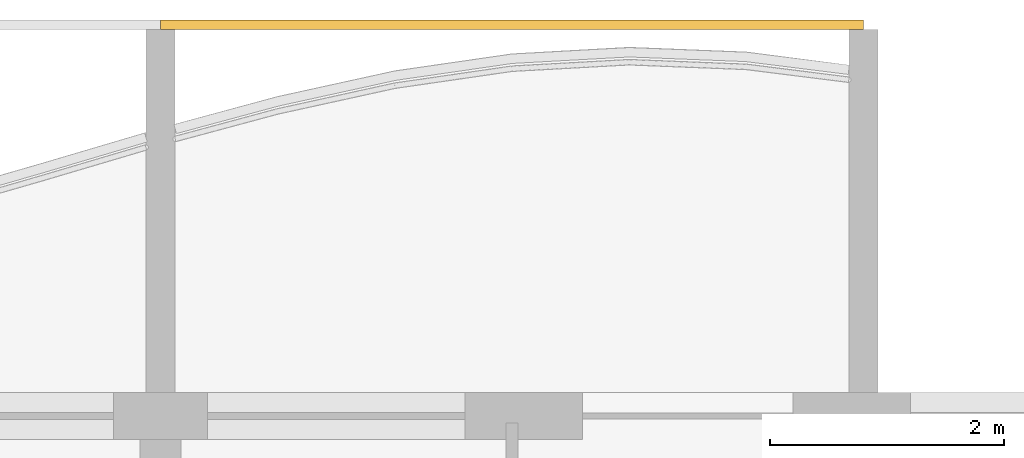
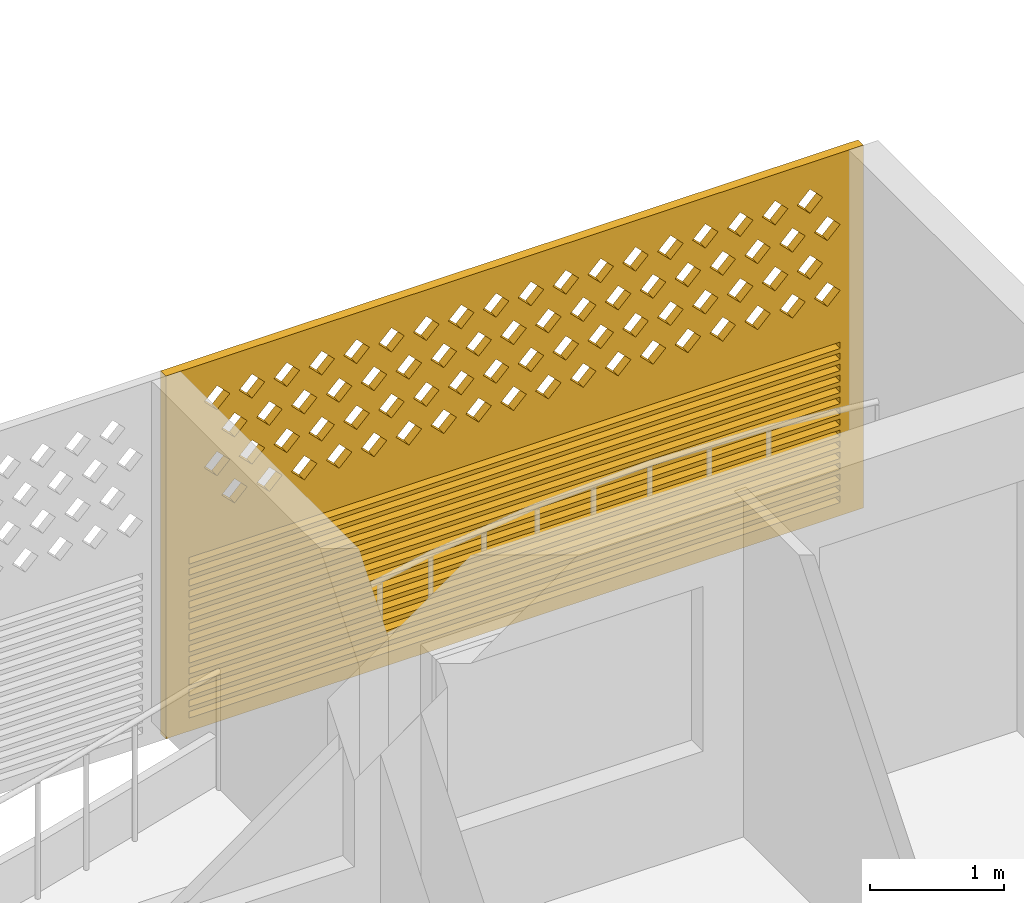
# One storey, part 20 of 24: 1 covering.
"""IFC4 building model written with IfcOpenShell, lengths in metres."""

from ifc_helpers import new_model, si_unit, direction, frame, origin, place, context, subcontext, project, spatial, polyline, outline, extrude, source, transform, mapped, material, material_profile, profile_set, type_object, element, save


model = new_model("IFC4")

# Units and contexts
model_context = context("Model", 3, precision=1e-05, world=origin(), true_north=direction((0.0, 1.0)))
body_context = subcontext(model_context, "Body", "Model", "MODEL_VIEW")
ifc_project = project(units=[si_unit("LENGTHUNIT", "METRE"), si_unit("AREAUNIT", "SQUARE_METRE"), si_unit("VOLUMEUNIT", "CUBIC_METRE"), si_unit("PLANEANGLEUNIT", "RADIAN"), si_unit("MASSUNIT", "GRAM", prefix="KILO")], contexts=[model_context])

# Site, building, storey
site_placement = place(None, origin())
site = spatial("IfcSite", under=ifc_project, at=site_placement, CompositionType="ELEMENT")
building_placement = place(site_placement, origin())
building = spatial("IfcBuilding", under=site, at=building_placement, Name="Poui Terraces", CompositionType="ELEMENT")
storey_placement = place(building_placement, frame((0.0, 0.0, 109.199951171875)))
storey = spatial("IfcBuildingStorey", under=building, at=storey_placement, Name="L30", CompositionType="ELEMENT", Elevation=109.199951171875)

# Covering
ifc_material = material(Name="Terracotta screen", Category="masonry")
ifc_material_profile = material_profile(ifc_material, outline(polyline([(-3.0, -1.64990234375), (3.0, -1.64990234375), (3.0, 1.64990234375), (-3.0, 1.64990234375), (-3.0, -1.64990234375)]), holes=[polyline([(-2.800048828125, 0.39990234375), (-2.68994140625, 0.2900390625), (-2.580078125, 0.39990234375), (-2.68994140625, 0.510009765625), (-2.800048828125, 0.39990234375)]), polyline([(-2.5, 0.39990234375), (-2.389892578125, 0.2900390625), (-2.280029296875, 0.39990234375), (-2.389892578125, 0.510009765625), (-2.5, 0.39990234375)]), polyline([(-2.199951171875, 0.39990234375), (-2.090087890625, 0.2900390625), (-1.97998046875, 0.39990234375), (-2.090087890625, 0.510009765625), (-2.199951171875, 0.39990234375)]), polyline([(-1.89990234375, 0.39990234375), (-1.7900390625, 0.2900390625), (-1.679931640625, 0.39990234375), (-1.7900390625, 0.510009765625), (-1.89990234375, 0.39990234375)]), polyline([(-1.60009765625, 0.39990234375), (-1.489990234375, 0.2900390625), (-1.3798828125, 0.39990234375), (-1.489990234375, 0.510009765625), (-1.60009765625, 0.39990234375)]), polyline([(-1.300048828125, 0.39990234375), (-1.18994140625, 0.2900390625), (-1.080078125, 0.39990234375), (-1.18994140625, 0.510009765625), (-1.300048828125, 0.39990234375)]), polyline([(-1.0, 0.39990234375), (-0.889892578125, 0.2900390625), (-0.780029296875, 0.39990234375), (-0.889892578125, 0.510009765625), (-1.0, 0.39990234375)]), polyline([(-0.699951171875, 0.39990234375), (-0.590087890625, 0.2900390625), (-0.47998046875, 0.39990234375), (-0.590087890625, 0.510009765625), (-0.699951171875, 0.39990234375)]), polyline([(-0.39990234375, 0.39990234375), (-0.2900390625, 0.2900390625), (-0.179931640625, 0.39990234375), (-0.2900390625, 0.510009765625), (-0.39990234375, 0.39990234375)]), polyline([(-0.10009765625, 0.39990234375), (0.010009765625, 0.2900390625), (0.1201171875, 0.39990234375), (0.010009765625, 0.510009765625), (-0.10009765625, 0.39990234375)]), polyline([(0.199951171875, 0.39990234375), (0.31005859375, 0.2900390625), (0.419921875, 0.39990234375), (0.31005859375, 0.510009765625), (0.199951171875, 0.39990234375)]), polyline([(0.5, 0.39990234375), (0.610107421875, 0.2900390625), (0.719970703125, 0.39990234375), (0.610107421875, 0.510009765625), (0.5, 0.39990234375)]), polyline([(0.800048828125, 0.39990234375), (0.909912109375, 0.2900390625), (1.02001953125, 0.39990234375), (0.909912109375, 0.510009765625), (0.800048828125, 0.39990234375)]), polyline([(1.10009765625, 0.39990234375), (1.2099609375, 0.2900390625), (1.320068359375, 0.39990234375), (1.2099609375, 0.510009765625), (1.10009765625, 0.39990234375)]), polyline([(1.39990234375, 0.39990234375), (1.510009765625, 0.2900390625), (1.6201171875, 0.39990234375), (1.510009765625, 0.510009765625), (1.39990234375, 0.39990234375)]), polyline([(1.699951171875, 0.39990234375), (1.81005859375, 0.2900390625), (1.919921875, 0.39990234375), (1.81005859375, 0.510009765625), (1.699951171875, 0.39990234375)]), polyline([(2.0, 0.39990234375), (2.110107421875, 0.2900390625), (2.219970703125, 0.39990234375), (2.110107421875, 0.510009765625), (2.0, 0.39990234375)]), polyline([(2.300048828125, 0.39990234375), (2.409912109375, 0.2900390625), (2.52001953125, 0.39990234375), (2.409912109375, 0.510009765625), (2.300048828125, 0.39990234375)]), polyline([(-2.64990234375, 0.699951171875), (-2.5400390625, 0.590087890625), (-2.429931640625, 0.699951171875), (-2.5400390625, 0.81005859375), (-2.64990234375, 0.699951171875)]), polyline([(-2.35009765625, 0.699951171875), (-2.239990234375, 0.590087890625), (-2.1298828125, 0.699951171875), (-2.239990234375, 0.81005859375), (-2.35009765625, 0.699951171875)]), polyline([(-2.050048828125, 0.699951171875), (-1.93994140625, 0.590087890625), (-1.830078125, 0.699951171875), (-1.93994140625, 0.81005859375), (-2.050048828125, 0.699951171875)]), polyline([(-1.75, 0.699951171875), (-1.639892578125, 0.590087890625), (-1.530029296875, 0.699951171875), (-1.639892578125, 0.81005859375), (-1.75, 0.699951171875)]), polyline([(-1.449951171875, 0.699951171875), (-1.340087890625, 0.590087890625), (-1.22998046875, 0.699951171875), (-1.340087890625, 0.81005859375), (-1.449951171875, 0.699951171875)]), polyline([(-1.14990234375, 0.699951171875), (-1.0400390625, 0.590087890625), (-0.929931640625, 0.699951171875), (-1.0400390625, 0.81005859375), (-1.14990234375, 0.699951171875)]), polyline([(-0.85009765625, 0.699951171875), (-0.739990234375, 0.590087890625), (-0.6298828125, 0.699951171875), (-0.739990234375, 0.81005859375), (-0.85009765625, 0.699951171875)]), polyline([(-0.550048828125, 0.699951171875), (-0.43994140625, 0.590087890625), (-0.330078125, 0.699951171875), (-0.43994140625, 0.81005859375), (-0.550048828125, 0.699951171875)]), polyline([(-0.25, 0.699951171875), (-0.139892578125, 0.590087890625), (-0.030029296875, 0.699951171875), (-0.139892578125, 0.81005859375), (-0.25, 0.699951171875)]), polyline([(0.050048828125, 0.699951171875), (0.159912109375, 0.590087890625), (0.27001953125, 0.699951171875), (0.159912109375, 0.81005859375), (0.050048828125, 0.699951171875)]), polyline([(0.35009765625, 0.699951171875), (0.4599609375, 0.590087890625), (0.570068359375, 0.699951171875), (0.4599609375, 0.81005859375), (0.35009765625, 0.699951171875)]), polyline([(0.64990234375, 0.699951171875), (0.760009765625, 0.590087890625), (0.8701171875, 0.699951171875), (0.760009765625, 0.81005859375), (0.64990234375, 0.699951171875)]), polyline([(0.949951171875, 0.699951171875), (1.06005859375, 0.590087890625), (1.169921875, 0.699951171875), (1.06005859375, 0.81005859375), (0.949951171875, 0.699951171875)]), polyline([(1.25, 0.699951171875), (1.360107421875, 0.590087890625), (1.469970703125, 0.699951171875), (1.360107421875, 0.81005859375), (1.25, 0.699951171875)]), polyline([(1.550048828125, 0.699951171875), (1.659912109375, 0.590087890625), (1.77001953125, 0.699951171875), (1.659912109375, 0.81005859375), (1.550048828125, 0.699951171875)]), polyline([(1.85009765625, 0.699951171875), (1.9599609375, 0.590087890625), (2.070068359375, 0.699951171875), (1.9599609375, 0.81005859375), (1.85009765625, 0.699951171875)]), polyline([(2.14990234375, 0.699951171875), (2.260009765625, 0.590087890625), (2.3701171875, 0.699951171875), (2.260009765625, 0.81005859375), (2.14990234375, 0.699951171875)]), polyline([(2.449951171875, 0.699951171875), (2.56005859375, 0.590087890625), (2.669921875, 0.699951171875), (2.56005859375, 0.81005859375), (2.449951171875, 0.699951171875)]), polyline([(-2.800048828125, 1.0), (-2.68994140625, 0.889892578125), (-2.580078125, 1.0), (-2.68994140625, 1.110107421875), (-2.800048828125, 1.0)]), polyline([(-2.5, 1.0), (-2.389892578125, 0.889892578125), (-2.280029296875, 1.0), (-2.389892578125, 1.110107421875), (-2.5, 1.0)]), polyline([(-2.199951171875, 1.0), (-2.090087890625, 0.889892578125), (-1.97998046875, 1.0), (-2.090087890625, 1.110107421875), (-2.199951171875, 1.0)]), polyline([(-1.89990234375, 1.0), (-1.7900390625, 0.889892578125), (-1.679931640625, 1.0), (-1.7900390625, 1.110107421875), (-1.89990234375, 1.0)]), polyline([(-1.60009765625, 1.0), (-1.489990234375, 0.889892578125), (-1.3798828125, 1.0), (-1.489990234375, 1.110107421875), (-1.60009765625, 1.0)]), polyline([(-1.300048828125, 1.0), (-1.18994140625, 0.889892578125), (-1.080078125, 1.0), (-1.18994140625, 1.110107421875), (-1.300048828125, 1.0)]), polyline([(-1.0, 1.0), (-0.889892578125, 0.889892578125), (-0.780029296875, 1.0), (-0.889892578125, 1.110107421875), (-1.0, 1.0)]), polyline([(-0.699951171875, 1.0), (-0.590087890625, 0.889892578125), (-0.47998046875, 1.0), (-0.590087890625, 1.110107421875), (-0.699951171875, 1.0)]), polyline([(-0.39990234375, 1.0), (-0.2900390625, 0.889892578125), (-0.179931640625, 1.0), (-0.2900390625, 1.110107421875), (-0.39990234375, 1.0)]), polyline([(-0.10009765625, 1.0), (0.010009765625, 0.889892578125), (0.1201171875, 1.0), (0.010009765625, 1.110107421875), (-0.10009765625, 1.0)]), polyline([(0.199951171875, 1.0), (0.31005859375, 0.889892578125), (0.419921875, 1.0), (0.31005859375, 1.110107421875), (0.199951171875, 1.0)]), polyline([(0.5, 1.0), (0.610107421875, 0.889892578125), (0.719970703125, 1.0), (0.610107421875, 1.110107421875), (0.5, 1.0)]), polyline([(0.800048828125, 1.0), (0.909912109375, 0.889892578125), (1.02001953125, 1.0), (0.909912109375, 1.110107421875), (0.800048828125, 1.0)]), polyline([(1.10009765625, 1.0), (1.2099609375, 0.889892578125), (1.320068359375, 1.0), (1.2099609375, 1.110107421875), (1.10009765625, 1.0)]), polyline([(1.39990234375, 1.0), (1.510009765625, 0.889892578125), (1.6201171875, 1.0), (1.510009765625, 1.110107421875), (1.39990234375, 1.0)]), polyline([(1.699951171875, 1.0), (1.81005859375, 0.889892578125), (1.919921875, 1.0), (1.81005859375, 1.110107421875), (1.699951171875, 1.0)]), polyline([(2.0, 1.0), (2.110107421875, 0.889892578125), (2.219970703125, 1.0), (2.110107421875, 1.110107421875), (2.0, 1.0)]), polyline([(2.300048828125, 1.0), (2.409912109375, 0.889892578125), (2.52001953125, 1.0), (2.409912109375, 1.110107421875), (2.300048828125, 1.0)]), polyline([(-2.64990234375, 1.300048828125), (-2.5400390625, 1.18994140625), (-2.429931640625, 1.300048828125), (-2.5400390625, 1.409912109375), (-2.64990234375, 1.300048828125)]), polyline([(-2.35009765625, 1.300048828125), (-2.239990234375, 1.18994140625), (-2.1298828125, 1.300048828125), (-2.239990234375, 1.409912109375), (-2.35009765625, 1.300048828125)]), polyline([(-2.050048828125, 1.300048828125), (-1.93994140625, 1.18994140625), (-1.830078125, 1.300048828125), (-1.93994140625, 1.409912109375), (-2.050048828125, 1.300048828125)]), polyline([(-1.75, 1.300048828125), (-1.639892578125, 1.18994140625), (-1.530029296875, 1.300048828125), (-1.639892578125, 1.409912109375), (-1.75, 1.300048828125)]), polyline([(-1.449951171875, 1.300048828125), (-1.340087890625, 1.18994140625), (-1.22998046875, 1.300048828125), (-1.340087890625, 1.409912109375), (-1.449951171875, 1.300048828125)]), polyline([(-1.14990234375, 1.300048828125), (-1.0400390625, 1.18994140625), (-0.929931640625, 1.300048828125), (-1.0400390625, 1.409912109375), (-1.14990234375, 1.300048828125)]), polyline([(-0.85009765625, 1.300048828125), (-0.739990234375, 1.18994140625), (-0.6298828125, 1.300048828125), (-0.739990234375, 1.409912109375), (-0.85009765625, 1.300048828125)]), polyline([(-0.550048828125, 1.300048828125), (-0.43994140625, 1.18994140625), (-0.330078125, 1.300048828125), (-0.43994140625, 1.409912109375), (-0.550048828125, 1.300048828125)]), polyline([(-0.25, 1.300048828125), (-0.139892578125, 1.18994140625), (-0.030029296875, 1.300048828125), (-0.139892578125, 1.409912109375), (-0.25, 1.300048828125)]), polyline([(0.050048828125, 1.300048828125), (0.159912109375, 1.18994140625), (0.27001953125, 1.300048828125), (0.159912109375, 1.409912109375), (0.050048828125, 1.300048828125)]), polyline([(0.35009765625, 1.300048828125), (0.4599609375, 1.18994140625), (0.570068359375, 1.300048828125), (0.4599609375, 1.409912109375), (0.35009765625, 1.300048828125)]), polyline([(0.64990234375, 1.300048828125), (0.760009765625, 1.18994140625), (0.8701171875, 1.300048828125), (0.760009765625, 1.409912109375), (0.64990234375, 1.300048828125)]), polyline([(0.949951171875, 1.300048828125), (1.06005859375, 1.18994140625), (1.169921875, 1.300048828125), (1.06005859375, 1.409912109375), (0.949951171875, 1.300048828125)]), polyline([(1.25, 1.300048828125), (1.360107421875, 1.18994140625), (1.469970703125, 1.300048828125), (1.360107421875, 1.409912109375), (1.25, 1.300048828125)]), polyline([(1.550048828125, 1.300048828125), (1.659912109375, 1.18994140625), (1.77001953125, 1.300048828125), (1.659912109375, 1.409912109375), (1.550048828125, 1.300048828125)]), polyline([(1.85009765625, 1.300048828125), (1.9599609375, 1.18994140625), (2.070068359375, 1.300048828125), (1.9599609375, 1.409912109375), (1.85009765625, 1.300048828125)]), polyline([(2.14990234375, 1.300048828125), (2.260009765625, 1.18994140625), (2.3701171875, 1.300048828125), (2.260009765625, 1.409912109375), (2.14990234375, 1.300048828125)]), polyline([(2.449951171875, 1.300048828125), (2.56005859375, 1.18994140625), (2.669921875, 1.300048828125), (2.56005859375, 1.409912109375), (2.449951171875, 1.300048828125)]), polyline([(-2.800048828125, -1.530029296875), (2.800048828125, -1.530029296875), (2.800048828125, -1.469970703125), (-2.800048828125, -1.469970703125), (-2.800048828125, -1.530029296875)]), polyline([(-2.800048828125, -1.429931640625), (2.800048828125, -1.429931640625), (2.800048828125, -1.3701171875), (-2.800048828125, -1.3701171875), (-2.800048828125, -1.429931640625)]), polyline([(-2.800048828125, -1.330078125), (2.800048828125, -1.330078125), (2.800048828125, -1.27001953125), (-2.800048828125, -1.27001953125), (-2.800048828125, -1.330078125)]), polyline([(-2.800048828125, -1.22998046875), (2.800048828125, -1.22998046875), (2.800048828125, -1.169921875), (-2.800048828125, -1.169921875), (-2.800048828125, -1.22998046875)]), polyline([(-2.800048828125, -1.1298828125), (2.800048828125, -1.1298828125), (2.800048828125, -1.070068359375), (-2.800048828125, -1.070068359375), (-2.800048828125, -1.1298828125)]), polyline([(-2.800048828125, -1.030029296875), (2.800048828125, -1.030029296875), (2.800048828125, -0.969970703125), (-2.800048828125, -0.969970703125), (-2.800048828125, -1.030029296875)]), polyline([(-2.800048828125, -0.929931640625), (2.800048828125, -0.929931640625), (2.800048828125, -0.8701171875), (-2.800048828125, -0.8701171875), (-2.800048828125, -0.929931640625)]), polyline([(-2.800048828125, -0.830078125), (2.800048828125, -0.830078125), (2.800048828125, -0.77001953125), (-2.800048828125, -0.77001953125), (-2.800048828125, -0.830078125)]), polyline([(-2.800048828125, -0.72998046875), (2.800048828125, -0.72998046875), (2.800048828125, -0.669921875), (-2.800048828125, -0.669921875), (-2.800048828125, -0.72998046875)]), polyline([(-2.800048828125, -0.6298828125), (2.800048828125, -0.6298828125), (2.800048828125, -0.570068359375), (-2.800048828125, -0.570068359375), (-2.800048828125, -0.6298828125)]), polyline([(-2.800048828125, -0.530029296875), (2.800048828125, -0.530029296875), (2.800048828125, -0.469970703125), (-2.800048828125, -0.469970703125), (-2.800048828125, -0.530029296875)]), polyline([(-2.800048828125, -0.429931640625), (2.800048828125, -0.429931640625), (2.800048828125, -0.3701171875), (-2.800048828125, -0.3701171875), (-2.800048828125, -0.429931640625)]), polyline([(-2.800048828125, -0.330078125), (2.800048828125, -0.330078125), (2.800048828125, -0.27001953125), (-2.800048828125, -0.27001953125), (-2.800048828125, -0.330078125)]), polyline([(-2.800048828125, -0.22998046875), (2.800048828125, -0.22998046875), (2.800048828125, -0.169921875), (-2.800048828125, -0.169921875), (-2.800048828125, -0.22998046875)]), polyline([(-2.800048828125, -0.1298828125), (2.800048828125, -0.1298828125), (2.800048828125, -0.070068359375), (-2.800048828125, -0.070068359375), (-2.800048828125, -0.1298828125)])]), Name="TERRACOTTA SCREEN AND JALOUSIE LOUVRE 6000X3300")
ifc_profile_set = profile_set([ifc_material_profile], Name="Terracotta screen")
covering_type = type_object("IfcCoveringType", Name="TERRACOTTA SCREEN AND JALOUSIE LOUVRE 6000X3300", PredefinedType="CLADDING", material=ifc_profile_set)
shared_shape = source(origin(), body_context, "Body", "SweptSolid", [
    extrude(outline(polyline([(-3.0, -1.64990234375), (3.0, -1.64990234375), (3.0, 1.64990234375), (-3.0, 1.64990234375), (-3.0, -1.64990234375)]), holes=[polyline([(-2.800048828125, 0.39990234375), (-2.68994140625, 0.2900390625), (-2.580078125, 0.39990234375), (-2.68994140625, 0.510009765625), (-2.800048828125, 0.39990234375)]), polyline([(-2.5, 0.39990234375), (-2.389892578125, 0.2900390625), (-2.280029296875, 0.39990234375), (-2.389892578125, 0.510009765625), (-2.5, 0.39990234375)]), polyline([(-2.199951171875, 0.39990234375), (-2.090087890625, 0.2900390625), (-1.97998046875, 0.39990234375), (-2.090087890625, 0.510009765625), (-2.199951171875, 0.39990234375)]), polyline([(-1.89990234375, 0.39990234375), (-1.7900390625, 0.2900390625), (-1.679931640625, 0.39990234375), (-1.7900390625, 0.510009765625), (-1.89990234375, 0.39990234375)]), polyline([(-1.60009765625, 0.39990234375), (-1.489990234375, 0.2900390625), (-1.3798828125, 0.39990234375), (-1.489990234375, 0.510009765625), (-1.60009765625, 0.39990234375)]), polyline([(-1.300048828125, 0.39990234375), (-1.18994140625, 0.2900390625), (-1.080078125, 0.39990234375), (-1.18994140625, 0.510009765625), (-1.300048828125, 0.39990234375)]), polyline([(-1.0, 0.39990234375), (-0.889892578125, 0.2900390625), (-0.780029296875, 0.39990234375), (-0.889892578125, 0.510009765625), (-1.0, 0.39990234375)]), polyline([(-0.699951171875, 0.39990234375), (-0.590087890625, 0.2900390625), (-0.47998046875, 0.39990234375), (-0.590087890625, 0.510009765625), (-0.699951171875, 0.39990234375)]), polyline([(-0.39990234375, 0.39990234375), (-0.2900390625, 0.2900390625), (-0.179931640625, 0.39990234375), (-0.2900390625, 0.510009765625), (-0.39990234375, 0.39990234375)]), polyline([(-0.10009765625, 0.39990234375), (0.010009765625, 0.2900390625), (0.1201171875, 0.39990234375), (0.010009765625, 0.510009765625), (-0.10009765625, 0.39990234375)]), polyline([(0.199951171875, 0.39990234375), (0.31005859375, 0.2900390625), (0.419921875, 0.39990234375), (0.31005859375, 0.510009765625), (0.199951171875, 0.39990234375)]), polyline([(0.5, 0.39990234375), (0.610107421875, 0.2900390625), (0.719970703125, 0.39990234375), (0.610107421875, 0.510009765625), (0.5, 0.39990234375)]), polyline([(0.800048828125, 0.39990234375), (0.909912109375, 0.2900390625), (1.02001953125, 0.39990234375), (0.909912109375, 0.510009765625), (0.800048828125, 0.39990234375)]), polyline([(1.10009765625, 0.39990234375), (1.2099609375, 0.2900390625), (1.320068359375, 0.39990234375), (1.2099609375, 0.510009765625), (1.10009765625, 0.39990234375)]), polyline([(1.39990234375, 0.39990234375), (1.510009765625, 0.2900390625), (1.6201171875, 0.39990234375), (1.510009765625, 0.510009765625), (1.39990234375, 0.39990234375)]), polyline([(1.699951171875, 0.39990234375), (1.81005859375, 0.2900390625), (1.919921875, 0.39990234375), (1.81005859375, 0.510009765625), (1.699951171875, 0.39990234375)]), polyline([(2.0, 0.39990234375), (2.110107421875, 0.2900390625), (2.219970703125, 0.39990234375), (2.110107421875, 0.510009765625), (2.0, 0.39990234375)]), polyline([(2.300048828125, 0.39990234375), (2.409912109375, 0.2900390625), (2.52001953125, 0.39990234375), (2.409912109375, 0.510009765625), (2.300048828125, 0.39990234375)]), polyline([(-2.64990234375, 0.699951171875), (-2.5400390625, 0.590087890625), (-2.429931640625, 0.699951171875), (-2.5400390625, 0.81005859375), (-2.64990234375, 0.699951171875)]), polyline([(-2.35009765625, 0.699951171875), (-2.239990234375, 0.590087890625), (-2.1298828125, 0.699951171875), (-2.239990234375, 0.81005859375), (-2.35009765625, 0.699951171875)]), polyline([(-2.050048828125, 0.699951171875), (-1.93994140625, 0.590087890625), (-1.830078125, 0.699951171875), (-1.93994140625, 0.81005859375), (-2.050048828125, 0.699951171875)]), polyline([(-1.75, 0.699951171875), (-1.639892578125, 0.590087890625), (-1.530029296875, 0.699951171875), (-1.639892578125, 0.81005859375), (-1.75, 0.699951171875)]), polyline([(-1.449951171875, 0.699951171875), (-1.340087890625, 0.590087890625), (-1.22998046875, 0.699951171875), (-1.340087890625, 0.81005859375), (-1.449951171875, 0.699951171875)]), polyline([(-1.14990234375, 0.699951171875), (-1.0400390625, 0.590087890625), (-0.929931640625, 0.699951171875), (-1.0400390625, 0.81005859375), (-1.14990234375, 0.699951171875)]), polyline([(-0.85009765625, 0.699951171875), (-0.739990234375, 0.590087890625), (-0.6298828125, 0.699951171875), (-0.739990234375, 0.81005859375), (-0.85009765625, 0.699951171875)]), polyline([(-0.550048828125, 0.699951171875), (-0.43994140625, 0.590087890625), (-0.330078125, 0.699951171875), (-0.43994140625, 0.81005859375), (-0.550048828125, 0.699951171875)]), polyline([(-0.25, 0.699951171875), (-0.139892578125, 0.590087890625), (-0.030029296875, 0.699951171875), (-0.139892578125, 0.81005859375), (-0.25, 0.699951171875)]), polyline([(0.050048828125, 0.699951171875), (0.159912109375, 0.590087890625), (0.27001953125, 0.699951171875), (0.159912109375, 0.81005859375), (0.050048828125, 0.699951171875)]), polyline([(0.35009765625, 0.699951171875), (0.4599609375, 0.590087890625), (0.570068359375, 0.699951171875), (0.4599609375, 0.81005859375), (0.35009765625, 0.699951171875)]), polyline([(0.64990234375, 0.699951171875), (0.760009765625, 0.590087890625), (0.8701171875, 0.699951171875), (0.760009765625, 0.81005859375), (0.64990234375, 0.699951171875)]), polyline([(0.949951171875, 0.699951171875), (1.06005859375, 0.590087890625), (1.169921875, 0.699951171875), (1.06005859375, 0.81005859375), (0.949951171875, 0.699951171875)]), polyline([(1.25, 0.699951171875), (1.360107421875, 0.590087890625), (1.469970703125, 0.699951171875), (1.360107421875, 0.81005859375), (1.25, 0.699951171875)]), polyline([(1.550048828125, 0.699951171875), (1.659912109375, 0.590087890625), (1.77001953125, 0.699951171875), (1.659912109375, 0.81005859375), (1.550048828125, 0.699951171875)]), polyline([(1.85009765625, 0.699951171875), (1.9599609375, 0.590087890625), (2.070068359375, 0.699951171875), (1.9599609375, 0.81005859375), (1.85009765625, 0.699951171875)]), polyline([(2.14990234375, 0.699951171875), (2.260009765625, 0.590087890625), (2.3701171875, 0.699951171875), (2.260009765625, 0.81005859375), (2.14990234375, 0.699951171875)]), polyline([(2.449951171875, 0.699951171875), (2.56005859375, 0.590087890625), (2.669921875, 0.699951171875), (2.56005859375, 0.81005859375), (2.449951171875, 0.699951171875)]), polyline([(-2.800048828125, 1.0), (-2.68994140625, 0.889892578125), (-2.580078125, 1.0), (-2.68994140625, 1.110107421875), (-2.800048828125, 1.0)]), polyline([(-2.5, 1.0), (-2.389892578125, 0.889892578125), (-2.280029296875, 1.0), (-2.389892578125, 1.110107421875), (-2.5, 1.0)]), polyline([(-2.199951171875, 1.0), (-2.090087890625, 0.889892578125), (-1.97998046875, 1.0), (-2.090087890625, 1.110107421875), (-2.199951171875, 1.0)]), polyline([(-1.89990234375, 1.0), (-1.7900390625, 0.889892578125), (-1.679931640625, 1.0), (-1.7900390625, 1.110107421875), (-1.89990234375, 1.0)]), polyline([(-1.60009765625, 1.0), (-1.489990234375, 0.889892578125), (-1.3798828125, 1.0), (-1.489990234375, 1.110107421875), (-1.60009765625, 1.0)]), polyline([(-1.300048828125, 1.0), (-1.18994140625, 0.889892578125), (-1.080078125, 1.0), (-1.18994140625, 1.110107421875), (-1.300048828125, 1.0)]), polyline([(-1.0, 1.0), (-0.889892578125, 0.889892578125), (-0.780029296875, 1.0), (-0.889892578125, 1.110107421875), (-1.0, 1.0)]), polyline([(-0.699951171875, 1.0), (-0.590087890625, 0.889892578125), (-0.47998046875, 1.0), (-0.590087890625, 1.110107421875), (-0.699951171875, 1.0)]), polyline([(-0.39990234375, 1.0), (-0.2900390625, 0.889892578125), (-0.179931640625, 1.0), (-0.2900390625, 1.110107421875), (-0.39990234375, 1.0)]), polyline([(-0.10009765625, 1.0), (0.010009765625, 0.889892578125), (0.1201171875, 1.0), (0.010009765625, 1.110107421875), (-0.10009765625, 1.0)]), polyline([(0.199951171875, 1.0), (0.31005859375, 0.889892578125), (0.419921875, 1.0), (0.31005859375, 1.110107421875), (0.199951171875, 1.0)]), polyline([(0.5, 1.0), (0.610107421875, 0.889892578125), (0.719970703125, 1.0), (0.610107421875, 1.110107421875), (0.5, 1.0)]), polyline([(0.800048828125, 1.0), (0.909912109375, 0.889892578125), (1.02001953125, 1.0), (0.909912109375, 1.110107421875), (0.800048828125, 1.0)]), polyline([(1.10009765625, 1.0), (1.2099609375, 0.889892578125), (1.320068359375, 1.0), (1.2099609375, 1.110107421875), (1.10009765625, 1.0)]), polyline([(1.39990234375, 1.0), (1.510009765625, 0.889892578125), (1.6201171875, 1.0), (1.510009765625, 1.110107421875), (1.39990234375, 1.0)]), polyline([(1.699951171875, 1.0), (1.81005859375, 0.889892578125), (1.919921875, 1.0), (1.81005859375, 1.110107421875), (1.699951171875, 1.0)]), polyline([(2.0, 1.0), (2.110107421875, 0.889892578125), (2.219970703125, 1.0), (2.110107421875, 1.110107421875), (2.0, 1.0)]), polyline([(2.300048828125, 1.0), (2.409912109375, 0.889892578125), (2.52001953125, 1.0), (2.409912109375, 1.110107421875), (2.300048828125, 1.0)]), polyline([(-2.64990234375, 1.300048828125), (-2.5400390625, 1.18994140625), (-2.429931640625, 1.300048828125), (-2.5400390625, 1.409912109375), (-2.64990234375, 1.300048828125)]), polyline([(-2.35009765625, 1.300048828125), (-2.239990234375, 1.18994140625), (-2.1298828125, 1.300048828125), (-2.239990234375, 1.409912109375), (-2.35009765625, 1.300048828125)]), polyline([(-2.050048828125, 1.300048828125), (-1.93994140625, 1.18994140625), (-1.830078125, 1.300048828125), (-1.93994140625, 1.409912109375), (-2.050048828125, 1.300048828125)]), polyline([(-1.75, 1.300048828125), (-1.639892578125, 1.18994140625), (-1.530029296875, 1.300048828125), (-1.639892578125, 1.409912109375), (-1.75, 1.300048828125)]), polyline([(-1.449951171875, 1.300048828125), (-1.340087890625, 1.18994140625), (-1.22998046875, 1.300048828125), (-1.340087890625, 1.409912109375), (-1.449951171875, 1.300048828125)]), polyline([(-1.14990234375, 1.300048828125), (-1.0400390625, 1.18994140625), (-0.929931640625, 1.300048828125), (-1.0400390625, 1.409912109375), (-1.14990234375, 1.300048828125)]), polyline([(-0.85009765625, 1.300048828125), (-0.739990234375, 1.18994140625), (-0.6298828125, 1.300048828125), (-0.739990234375, 1.409912109375), (-0.85009765625, 1.300048828125)]), polyline([(-0.550048828125, 1.300048828125), (-0.43994140625, 1.18994140625), (-0.330078125, 1.300048828125), (-0.43994140625, 1.409912109375), (-0.550048828125, 1.300048828125)]), polyline([(-0.25, 1.300048828125), (-0.139892578125, 1.18994140625), (-0.030029296875, 1.300048828125), (-0.139892578125, 1.409912109375), (-0.25, 1.300048828125)]), polyline([(0.050048828125, 1.300048828125), (0.159912109375, 1.18994140625), (0.27001953125, 1.300048828125), (0.159912109375, 1.409912109375), (0.050048828125, 1.300048828125)]), polyline([(0.35009765625, 1.300048828125), (0.4599609375, 1.18994140625), (0.570068359375, 1.300048828125), (0.4599609375, 1.409912109375), (0.35009765625, 1.300048828125)]), polyline([(0.64990234375, 1.300048828125), (0.760009765625, 1.18994140625), (0.8701171875, 1.300048828125), (0.760009765625, 1.409912109375), (0.64990234375, 1.300048828125)]), polyline([(0.949951171875, 1.300048828125), (1.06005859375, 1.18994140625), (1.169921875, 1.300048828125), (1.06005859375, 1.409912109375), (0.949951171875, 1.300048828125)]), polyline([(1.25, 1.300048828125), (1.360107421875, 1.18994140625), (1.469970703125, 1.300048828125), (1.360107421875, 1.409912109375), (1.25, 1.300048828125)]), polyline([(1.550048828125, 1.300048828125), (1.659912109375, 1.18994140625), (1.77001953125, 1.300048828125), (1.659912109375, 1.409912109375), (1.550048828125, 1.300048828125)]), polyline([(1.85009765625, 1.300048828125), (1.9599609375, 1.18994140625), (2.070068359375, 1.300048828125), (1.9599609375, 1.409912109375), (1.85009765625, 1.300048828125)]), polyline([(2.14990234375, 1.300048828125), (2.260009765625, 1.18994140625), (2.3701171875, 1.300048828125), (2.260009765625, 1.409912109375), (2.14990234375, 1.300048828125)]), polyline([(2.449951171875, 1.300048828125), (2.56005859375, 1.18994140625), (2.669921875, 1.300048828125), (2.56005859375, 1.409912109375), (2.449951171875, 1.300048828125)]), polyline([(-2.800048828125, -1.530029296875), (2.800048828125, -1.530029296875), (2.800048828125, -1.469970703125), (-2.800048828125, -1.469970703125), (-2.800048828125, -1.530029296875)]), polyline([(-2.800048828125, -1.429931640625), (2.800048828125, -1.429931640625), (2.800048828125, -1.3701171875), (-2.800048828125, -1.3701171875), (-2.800048828125, -1.429931640625)]), polyline([(-2.800048828125, -1.330078125), (2.800048828125, -1.330078125), (2.800048828125, -1.27001953125), (-2.800048828125, -1.27001953125), (-2.800048828125, -1.330078125)]), polyline([(-2.800048828125, -1.22998046875), (2.800048828125, -1.22998046875), (2.800048828125, -1.169921875), (-2.800048828125, -1.169921875), (-2.800048828125, -1.22998046875)]), polyline([(-2.800048828125, -1.1298828125), (2.800048828125, -1.1298828125), (2.800048828125, -1.070068359375), (-2.800048828125, -1.070068359375), (-2.800048828125, -1.1298828125)]), polyline([(-2.800048828125, -1.030029296875), (2.800048828125, -1.030029296875), (2.800048828125, -0.969970703125), (-2.800048828125, -0.969970703125), (-2.800048828125, -1.030029296875)]), polyline([(-2.800048828125, -0.929931640625), (2.800048828125, -0.929931640625), (2.800048828125, -0.8701171875), (-2.800048828125, -0.8701171875), (-2.800048828125, -0.929931640625)]), polyline([(-2.800048828125, -0.830078125), (2.800048828125, -0.830078125), (2.800048828125, -0.77001953125), (-2.800048828125, -0.77001953125), (-2.800048828125, -0.830078125)]), polyline([(-2.800048828125, -0.72998046875), (2.800048828125, -0.72998046875), (2.800048828125, -0.669921875), (-2.800048828125, -0.669921875), (-2.800048828125, -0.72998046875)]), polyline([(-2.800048828125, -0.6298828125), (2.800048828125, -0.6298828125), (2.800048828125, -0.570068359375), (-2.800048828125, -0.570068359375), (-2.800048828125, -0.6298828125)]), polyline([(-2.800048828125, -0.530029296875), (2.800048828125, -0.530029296875), (2.800048828125, -0.469970703125), (-2.800048828125, -0.469970703125), (-2.800048828125, -0.530029296875)]), polyline([(-2.800048828125, -0.429931640625), (2.800048828125, -0.429931640625), (2.800048828125, -0.3701171875), (-2.800048828125, -0.3701171875), (-2.800048828125, -0.429931640625)]), polyline([(-2.800048828125, -0.330078125), (2.800048828125, -0.330078125), (2.800048828125, -0.27001953125), (-2.800048828125, -0.27001953125), (-2.800048828125, -0.330078125)]), polyline([(-2.800048828125, -0.22998046875), (2.800048828125, -0.22998046875), (2.800048828125, -0.169921875), (-2.800048828125, -0.169921875), (-2.800048828125, -0.22998046875)]), polyline([(-2.800048828125, -0.1298828125), (2.800048828125, -0.1298828125), (2.800048828125, -0.070068359375), (-2.800048828125, -0.070068359375), (-2.800048828125, -0.1298828125)])]), origin(), (0.0, 0.0, 1.0), 0.080078125),
])
covering_placement = place(storey_placement, frame((39.0, 46.89990234375, 1.449951171875), z_axis=(0.0, 1.0, 0.0), x_axis=(-1.0, 0.0, 0.0)))
element("IfcCovering", 1, at=covering_placement, inside=storey, type_object=covering_type, Name="SOLAR SCREEN AND JALOUSIE LOUVRE", PredefinedType="CLADDING", context=body_context, shape_type="MappedRepresentation", body=[
    mapped(shared_shape, transform((0.0, 0.0, 0.0))),
])

save(model, "model.ifc")
